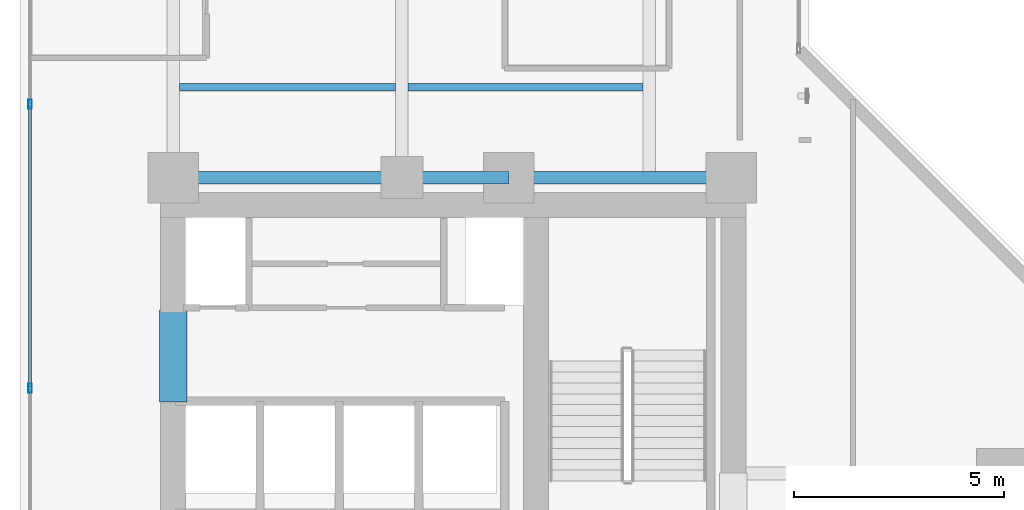
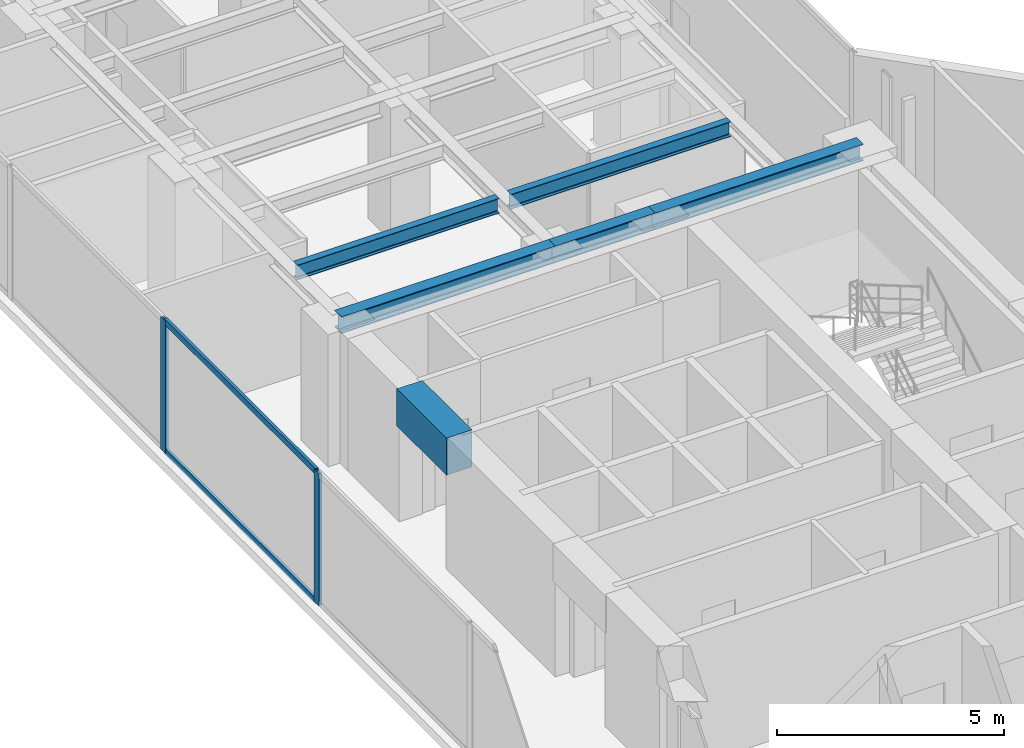
# One storey, part 6 of 26: 6 beams, 4 members, 1 element without a shape of its own.
"""IFC4 building model written with IfcOpenShell, lengths in metres."""

from ifc_helpers import new_model, si_unit, direction, frame, origin, origin_with_axes, origin_2d, place, context, subcontext, project, spatial, rectangle, hollow_rectangle, i_section, extrude, source, transform, mapped, material, layer, layer_set, material_profile, profile_set, type_object, element, aggregate, save


model = new_model("IFC4")

# Units and contexts
model_context = context("Model", 3, precision=1e-05, world=origin(), true_north=direction((0.0, 1.0)))
body_context = subcontext(model_context, "Body", "Model", "MODEL_VIEW")
ifc_project = project(units=[si_unit("LENGTHUNIT", "METRE"), si_unit("AREAUNIT", "SQUARE_METRE"), si_unit("VOLUMEUNIT", "CUBIC_METRE"), si_unit("PLANEANGLEUNIT", "RADIAN"), si_unit("MASSUNIT", "GRAM", prefix="KILO")], contexts=[model_context])

# Site, building, storey
site_placement = place(None, origin())
site = spatial("IfcSite", under=ifc_project, at=site_placement, CompositionType="ELEMENT")
building_placement = place(site_placement, origin())
building = spatial("IfcBuilding", under=site, at=building_placement, Name="Kolvaren Waterfront Exchange", CompositionType="ELEMENT")
storey_placement = place(building_placement, frame((0.0, 0.0, 180.39990234375)))
storey = spatial("IfcBuildingStorey", under=building, at=storey_placement, Name="L46", CompositionType="ELEMENT", Elevation=180.39990234375)

# Beams
ifc_material_1 = material(Name="Steel S355", Category="steel")
ifc_material_profile_1 = material_profile(ifc_material_1, i_section(OverallWidth=0.300048828125, OverallDepth=0.449951171875, WebThickness=0.013916015625, FlangeThickness=0.02587890625, FilletRadius=0.027099609375, at=origin_2d()), Name="HEB450")
ifc_profile_set_1 = profile_set([ifc_material_profile_1], Name="Steel S355")
beam_type_1 = type_object("IfcBeamType", Name="STR-BM-HEB450", PredefinedType="BEAM", material=ifc_profile_set_1)
beam_1_placement = place(storey_placement, frame((7.449951171875, 24.449951171875, 3.335205078125), z_axis=(1.0, 0.0, 0.0), x_axis=(0.0, 1.0, 0.0)))
element("IfcBeam", 1, at=beam_1_placement, inside=storey, type_object=beam_type_1, Name="L46 north-arm girder 1A", PredefinedType="BEAM", context=body_context, shape_type="SweptSolid", body=[
    extrude(i_section(OverallWidth=0.300048828125, OverallDepth=0.449951171875, WebThickness=0.013916015625, FlangeThickness=0.02587890625, FilletRadius=0.027099609375, at=origin_2d()), origin(), (0.0, 0.0, 1.0), 5.449951171875),
])
beam_2_placement = place(storey_placement, frame((12.89990234375, 24.449951171875, 3.335205078125), z_axis=(1.0, 0.0, 0.0), x_axis=(0.0, 1.0, 0.0)))
element("IfcBeam", 2, at=beam_2_placement, inside=storey, type_object=beam_type_1, Name="L46 north-arm girder 1B", PredefinedType="BEAM", context=body_context, shape_type="SweptSolid", body=[
    extrude(i_section(OverallWidth=0.300048828125, OverallDepth=0.449951171875, WebThickness=0.013916015625, FlangeThickness=0.02587890625, FilletRadius=0.027099609375, at=origin_2d()), origin(), (0.0, 0.0, 1.0), 2.550048828125),
])
beam_3_placement = place(storey_placement, frame((15.449951171875, 24.449951171875, 3.335205078125), z_axis=(1.0, 0.0, 0.0), x_axis=(0.0, 1.0, 0.0)))
element("IfcBeam", 3, at=beam_3_placement, inside=storey, type_object=beam_type_1, Name="L46 north-arm girder 1C", PredefinedType="BEAM", context=body_context, shape_type="SweptSolid", body=[
    extrude(i_section(OverallWidth=0.300048828125, OverallDepth=0.449951171875, WebThickness=0.013916015625, FlangeThickness=0.02587890625, FilletRadius=0.027099609375, at=origin_2d()), origin(), (0.0, 0.0, 1.0), 5.300048828125),
])
ifc_material_profile_2 = material_profile(ifc_material_1, i_section(OverallWidth=0.179931640625, OverallDepth=0.39990234375, WebThickness=0.008544921875, FlangeThickness=0.013427734375, FilletRadius=0.02099609375, at=origin_2d()), Name="IPE400")
ifc_profile_set_2 = profile_set([ifc_material_profile_2], Name="Steel S355")
beam_type_2 = type_object("IfcBeamType", Name="STR-BM-IPE400", PredefinedType="JOIST", material=ifc_profile_set_2)
beam_4_placement = place(storey_placement, frame((7.60205078125, 26.60009765625, 3.360107421875), z_axis=(1.0, 0.0, 0.0), x_axis=(0.0, 1.0, 0.0)))
element("IfcBeam", 4, at=beam_4_placement, inside=storey, type_object=beam_type_2, Name="L46 north-arm composite joist 1A", PredefinedType="JOIST", context=body_context, shape_type="SweptSolid", body=[
    extrude(i_section(OverallWidth=0.179931640625, OverallDepth=0.39990234375, WebThickness=0.008544921875, FlangeThickness=0.013427734375, FilletRadius=0.02099609375, at=origin_2d()), origin(), (0.0, 0.0, 1.0), 5.14599609375),
])
beam_5_placement = place(storey_placement, frame((13.052001953125, 26.60009765625, 3.360107421875), z_axis=(1.0, 0.0, 0.0), x_axis=(0.0, 1.0, 0.0)))
element("IfcBeam", 5, at=beam_5_placement, inside=storey, type_object=beam_type_2, Name="L46 north-arm composite joist 1B", PredefinedType="JOIST", context=body_context, shape_type="SweptSolid", body=[
    extrude(i_section(OverallWidth=0.179931640625, OverallDepth=0.39990234375, WebThickness=0.008544921875, FlangeThickness=0.013427734375, FilletRadius=0.02099609375, at=origin_2d()), origin(), (0.0, 0.0, 1.0), 5.595947265625),
])
ifc_material_2 = material(Name="Concrete C60/75", Category="concrete")
ifc_material_profile_3 = material_profile(ifc_material_2, rectangle(XDim=0.64990234375, YDim=1.0, at=origin_2d()), Name="RC-CB-1000x650")
ifc_profile_set_3 = profile_set([ifc_material_profile_3], Name="Concrete C60/75")
beam_type_3 = type_object("IfcBeamType", Name="STR-CB-1000", PredefinedType="SPANDREL", material=ifc_profile_set_3)
beam_6_placement = place(storey_placement, frame((7.449951171875, 19.10009765625, 3.06005859375), z_axis=(0.0, 1.0, 0.0), x_axis=(-1.0, 0.0, 0.0)))
element("IfcBeam", 6, at=beam_6_placement, inside=storey, type_object=beam_type_3, Name="L46 core coupling beam 5", PredefinedType="SPANDREL", context=body_context, shape_type="SweptSolid", body=[
    extrude(rectangle(XDim=0.64990234375, YDim=1.0, at=origin_2d()), origin(), (0.0, 0.0, 1.0), 2.199951171875),
])

# Curtain wall, members
ifc_material_3 = material(Name="Anodised aluminium 6063-T6", Category="aluminium")
ifc_layer = layer(ifc_material_3, 0.219970703125, Name="Anodised aluminium 6063-T6")
ifc_layer_set = layer_set([ifc_layer], Name="Anodised aluminium 6063-T6")
curtain_wall_type = type_object("IfcCurtainWallType", Name="ARC-CW-SYS2", PredefinedType="USERDEFINED", material=ifc_layer_set)
curtain_wall_placement = place(storey_placement, origin())
curtain_wall = element("IfcCurtainWall", 7, at=curtain_wall_placement, inside=storey, type_object=curtain_wall_type, Name="L46 stick curtain wall CW2 (CW-L46-W)", ObjectType="STICK CURTAIN WALL", PredefinedType="USERDEFINED")
ifc_material_profile_4 = material_profile(ifc_material_3, hollow_rectangle(XDim=0.080078125, YDim=0.219970703125, WallThickness=0.0048828125, at=origin_2d()), Name="ALU-MUL-220x80x5")
ifc_profile_set_4 = profile_set([ifc_material_profile_4], Name="Anodised aluminium 6063-T6")
member_type_1 = type_object("IfcMemberType", Name="ARC-CWM-220", PredefinedType="MULLION", material=ifc_profile_set_4)
shared_shape_1 = source(origin_with_axes(), body_context, "Body", "SweptSolid", [
    extrude(hollow_rectangle(XDim=0.080078125, YDim=0.219970703125, WallThickness=0.0048828125, at=origin_2d()), origin(), (0.0, 0.0, 1.0), 3.56005859375),
])
member_1_placement = place(storey_placement, frame((4.0400390625, 19.433349609375, 0.0), z_axis=(0.0, 0.0, 1.0), x_axis=(-1.0, 0.0, 0.0)))
member_1 = element("IfcMember", 8, at=member_1_placement, type_object=member_type_1, Name="CW2 mullion 3", PredefinedType="MULLION", context=body_context, shape_type="MappedRepresentation", body=[
    mapped(shared_shape_1, transform((0.0, 0.0, 0.0), x_axis=(1.0, 0.0, 0.0), y_axis=(0.0, 1.0, 0.0), z_axis=(0.0, 0.0, 1.0), scale=1.0)),
])
member_2_placement = place(storey_placement, frame((4.0400390625, 26.199951171875, 0.0), z_axis=(0.0, 0.0, 1.0), x_axis=(-1.0, 0.0, 0.0)))
member_2 = element("IfcMember", 9, at=member_2_placement, type_object=member_type_1, Name="CW2 mullion 4", PredefinedType="MULLION", context=body_context, shape_type="MappedRepresentation", body=[
    mapped(shared_shape_1, transform((0.0, 0.0, 0.0), x_axis=(1.0, 0.0, 0.0), y_axis=(0.0, 1.0, 0.0), z_axis=(0.0, 0.0, 1.0), scale=1.0)),
])
ifc_material_profile_5 = material_profile(ifc_material_3, hollow_rectangle(XDim=0.074951171875, YDim=0.159912109375, WallThickness=0.00439453125, at=origin_2d()), Name="ALU-TRN-160x75x4.5")
ifc_profile_set_5 = profile_set([ifc_material_profile_5], Name="Anodised aluminium 6063-T6")
member_type_2 = type_object("IfcMemberType", Name="ARC-CWT-160", PredefinedType="USERDEFINED", material=ifc_profile_set_5)
shared_shape_2 = source(origin_with_axes(), body_context, "Body", "SweptSolid", [
    extrude(hollow_rectangle(XDim=0.074951171875, YDim=0.159912109375, WallThickness=0.00439453125, at=origin_2d()), origin(), (0.0, 0.0, 1.0), 6.6865234375),
])
member_3_placement = place(storey_placement, frame((4.0400390625, 19.473388671875, 0.03759765625), z_axis=(0.0, 1.0, 0.0), x_axis=(-1.0, 0.0, 0.0)))
member_3 = element("IfcMember", 10, at=member_3_placement, type_object=member_type_2, Name="CW2 transom 3.1", ObjectType="TRANSOM", PredefinedType="USERDEFINED", context=body_context, shape_type="MappedRepresentation", body=[
    mapped(shared_shape_2, transform((0.0, 0.0, 0.0), x_axis=(1.0, 0.0, 0.0), y_axis=(0.0, 1.0, 0.0), z_axis=(0.0, 0.0, 1.0), scale=1.0)),
])
member_4_placement = place(storey_placement, frame((4.0400390625, 19.473388671875, 3.522705078125), z_axis=(0.0, 1.0, 0.0), x_axis=(-1.0, 0.0, 0.0)))
member_4 = element("IfcMember", 11, at=member_4_placement, type_object=member_type_2, Name="CW2 transom 3.2", ObjectType="TRANSOM", PredefinedType="USERDEFINED", context=body_context, shape_type="MappedRepresentation", body=[
    mapped(shared_shape_2, transform((0.0, 0.0, 0.0), x_axis=(1.0, 0.0, 0.0), y_axis=(0.0, 1.0, 0.0), z_axis=(0.0, 0.0, 1.0), scale=1.0)),
])
aggregate(curtain_wall, [member_1, member_2, member_3, member_4])

save(model, "model.ifc")
